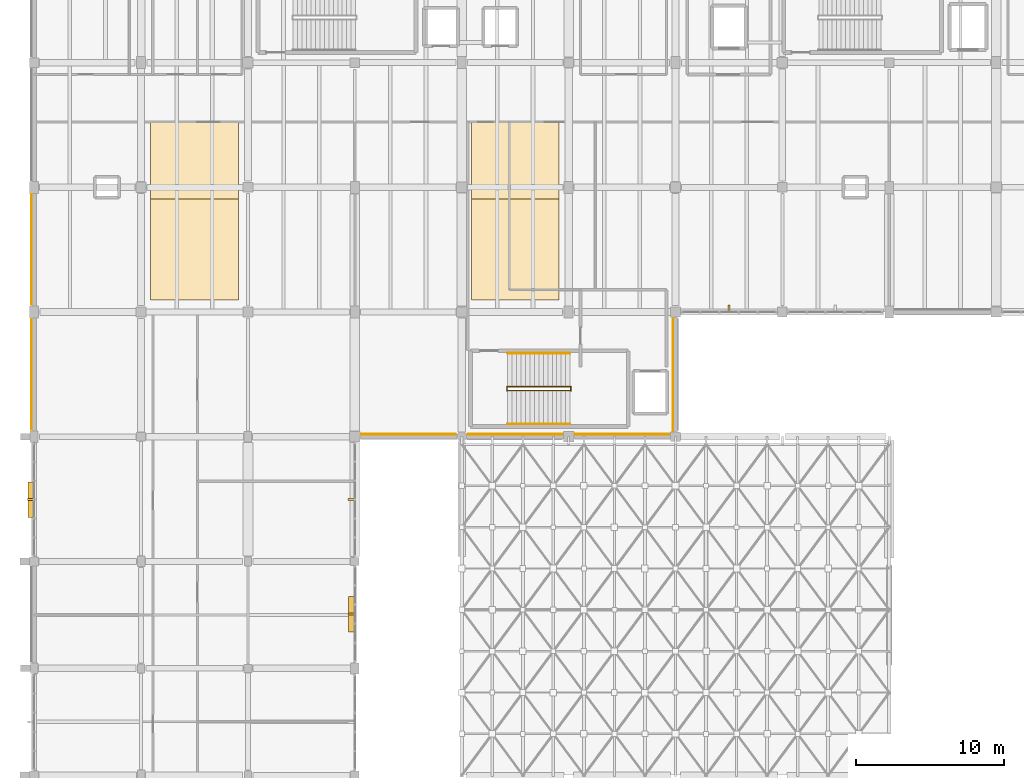
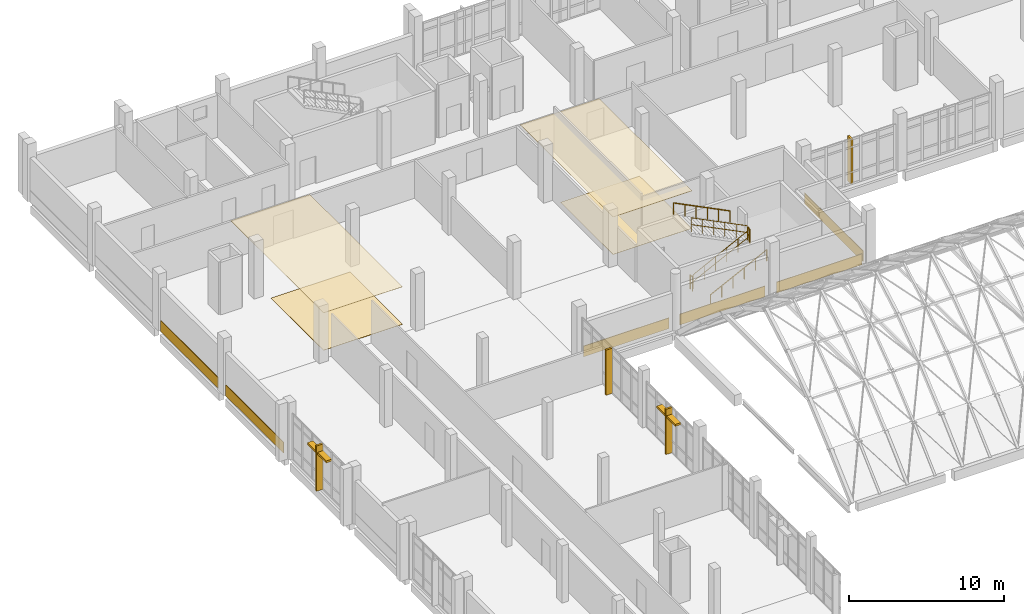
# One storey, part 84 of 87: 10 coverings, 6 railings, 6 shading devices.
"""IFC4 building model written with IfcOpenShell, lengths in metres."""

from ifc_helpers import new_model, si_unit, direction, frame, origin, origin_2d, place, context, subcontext, project, spatial, polyline, rectangle, circle, outline, extrude, material, layer, layer_set, type_object, element, save


model = new_model("IFC4")

# Units and contexts
model_context = context("Model", 3, precision=1e-05, world=origin(), true_north=direction((0.0, 1.0)))
body_context = subcontext(model_context, "Body", "Model", "MODEL_VIEW")
ifc_project = project(units=[si_unit("LENGTHUNIT", "METRE"), si_unit("AREAUNIT", "SQUARE_METRE"), si_unit("VOLUMEUNIT", "CUBIC_METRE"), si_unit("PLANEANGLEUNIT", "RADIAN"), si_unit("MASSUNIT", "GRAM", prefix="KILO")], contexts=[model_context])

# Site, building, storey
site_placement = place(None, origin())
site = spatial("IfcSite", under=ifc_project, at=site_placement, CompositionType="ELEMENT")
building_placement = place(site_placement, origin())
building = spatial("IfcBuilding", under=site, at=building_placement, Name="Kalluvel Institute of Natural Sciences", CompositionType="ELEMENT")
storey_placement = place(building_placement, frame((0.0, 0.0, 18.89990234375)))
storey = spatial("IfcBuildingStorey", under=building, at=storey_placement, Name="L04", CompositionType="ELEMENT", Elevation=18.89990234375)

# Coverings
ifc_material_1 = material(Name="Perforated Mineral-Fibre Acoustic Tile", Category="gypsum")
ifc_layer_1 = layer(ifc_material_1, 0.02490234375)
ifc_layer_set_1 = layer_set([ifc_layer_1], Name="Perforated Mineral-Fibre Acoustic Tile")
covering_type_1 = type_object("IfcCoveringType", Name="COV-CEIL-600", PredefinedType="CEILING", material=ifc_layer_set_1)
covering_1_placement = place(storey_placement, frame((0.0, 0.0, 2.9501953125)))
element("IfcCovering", 1, at=covering_1_placement, inside=storey, type_object=covering_type_1, Name="L04 laboratory acoustic ceiling panel 9", PredefinedType="CEILING", context=body_context, shape_type="SweptSolid", body=[
    extrude(outline(polyline([(21.85009765625, 103.60009765625), (27.75, 103.60009765625), (27.75, 115.60009765625), (21.85009765625, 115.60009765625), (21.85009765625, 103.60009765625)])), origin(), (0.0, 0.0, 1.0), 0.02490234375),
])
covering_2_placement = place(storey_placement, frame((0.0, 0.0, 2.9501953125)))
element("IfcCovering", 2, at=covering_2_placement, inside=storey, type_object=covering_type_1, Name="L04 laboratory acoustic ceiling panel 10", PredefinedType="CEILING", context=body_context, shape_type="SweptSolid", body=[
    extrude(outline(polyline([(43.449951171875, 103.60009765625), (49.35009765625, 103.60009765625), (49.35009765625, 115.60009765625), (43.449951171875, 115.60009765625), (43.449951171875, 103.60009765625)])), origin(), (0.0, 0.0, 1.0), 0.02490234375),
])
ifc_material_2 = material(Name="Sadarahalli Grey Granite Ashlar Concrete M40", Category="masonry")
ifc_layer_2 = layer(ifc_material_2, 0.044921875)
ifc_layer_set_2 = layer_set([ifc_layer_2], Name="Sadarahalli Grey Granite Ashlar Concrete M40")
covering_type_2 = type_object("IfcCoveringType", Name="COV-CLAD-STONE", PredefinedType="CLADDING", material=ifc_layer_set_2)
covering_3_placement = place(storey_placement, frame((13.820068359375, 107.0, 0.025146484375), z_axis=(0.0, 0.0, 1.0), x_axis=(0.0, 1.0, 0.0)))
element("IfcCovering", 3, at=covering_3_placement, inside=storey, type_object=covering_type_2, Name="L04 Sadarahalli granite plinth spandrel cladding 56", PredefinedType="CLADDING", context=body_context, shape_type="SweptSolid", body=[
    extrude(rectangle(XDim=7.43994140625, YDim=0.044921875, at=origin_2d()), origin(), (0.0, 0.0, 1.0), 0.85009765625),
])
for number, where, z_axis, x_axis, name in (
    (4, (39.21240234375, 94.570068359375, 0.025146484375), (0.0, 0.0, 1.0), (1.0, 0.0, 0.0), "L04 Sadarahalli granite plinth spandrel cladding 107"),
    (5, (46.387451171875, 94.570068359375, 0.025146484375), (0.0, 0.0, 1.0), (1.0, 0.0, 0.0), "L04 Sadarahalli granite plinth spandrel cladding 108"),
    (6, (53.612548828125, 94.570068359375, 0.025146484375), (0.0, 0.0, 1.0), (1.0, 0.0, 0.0), "L04 Sadarahalli granite plinth spandrel cladding 109"),
):
    element("IfcCovering", number, at=place(storey_placement, frame(where, z_axis=z_axis, x_axis=x_axis)), inside=storey, type_object=covering_type_2, Name=name, PredefinedType="CLADDING", context=body_context, shape_type="SweptSolid", body=[
        extrude(rectangle(XDim=6.364990234375, YDim=0.044921875, at=origin_2d()), origin(), (0.0, 0.0, 1.0), 0.85009765625),
    ])
covering_4_placement = place(storey_placement, frame((57.030029296875, 98.58740234375, 0.025146484375), z_axis=(0.0, 0.0, 1.0), x_axis=(0.0, 1.0, 0.0)))
element("IfcCovering", 7, at=covering_4_placement, inside=storey, type_object=covering_type_2, Name="L04 Sadarahalli granite plinth spandrel cladding 110", PredefinedType="CLADDING", context=body_context, shape_type="SweptSolid", body=[
    extrude(rectangle(XDim=7.56494140625, YDim=0.044921875, at=origin_2d()), origin(), (0.0, 0.0, 1.0), 0.85009765625),
])
covering_5_placement = place(storey_placement, frame((13.830078125, 98.58740234375, 0.025146484375), z_axis=(0.0, 0.0, 1.0), x_axis=(0.0, 1.0, 0.0)))
element("IfcCovering", 8, at=covering_5_placement, inside=storey, type_object=covering_type_2, Name="L04 Sadarahalli granite plinth spandrel cladding 178", PredefinedType="CLADDING", context=body_context, shape_type="SweptSolid", body=[
    extrude(rectangle(XDim=7.465087890625, YDim=0.044921875, at=origin_2d()), origin(), (0.0, 0.0, 1.0), 0.85009765625),
])
ifc_material_3 = material(Name="Seamless Chemical-Resistant Epoxy Flooring", Category="resin")
ifc_layer_3 = layer(ifc_material_3, 0.014892578125)
ifc_layer_set_3 = layer_set([ifc_layer_3], Name="Seamless Chemical-Resistant Epoxy Flooring")
covering_type_3 = type_object("IfcCoveringType", Name="COV-FLR-EPOXY", PredefinedType="FLOORING", material=ifc_layer_set_3)
covering_6_placement = place(storey_placement, origin())
element("IfcCovering", 9, at=covering_6_placement, inside=storey, type_object=covering_type_3, Name="L04 seamless epoxy laboratory floor finish 9", PredefinedType="FLOORING", context=body_context, shape_type="SweptSolid", body=[
    extrude(outline(polyline([(21.85009765625, 103.60009765625), (27.75, 103.60009765625), (27.75, 110.39990234375), (21.85009765625, 110.39990234375), (21.85009765625, 103.60009765625)])), origin(), (0.0, 0.0, 1.0), 0.01513671875),
])
covering_7_placement = place(storey_placement, origin())
element("IfcCovering", 10, at=covering_7_placement, inside=storey, type_object=covering_type_3, Name="L04 seamless epoxy laboratory floor finish 10", PredefinedType="FLOORING", context=body_context, shape_type="SweptSolid", body=[
    extrude(outline(polyline([(43.449951171875, 103.60009765625), (49.35009765625, 103.60009765625), (49.35009765625, 110.39990234375), (43.449951171875, 110.39990234375), (43.449951171875, 103.60009765625)])), origin(), (0.0, 0.0, 1.0), 0.01513671875),
])

# Railings
ifc_material_4 = material(Name="Galvanized Fire-Rated Steel", Category="steel")
railing_type_1 = type_object("IfcRailingType", Name="RL-GD-STAIR", PredefinedType="BALUSTRADE", material=ifc_material_4)
railing_1_placement = place(storey_placement, frame((45.89990234375, 97.510009765625, 0.150146484375)))
element("IfcRailing", 11, at=railing_1_placement, inside=storey, type_object=railing_type_1, Name="L04 ST3 stair guard 1", PredefinedType="BALUSTRADE", context=body_context, shape_type="SweptSolid", body=[
    extrude(circle(Radius=0.02392578125, at=origin_2d()), frame((0.0, 0.0, 1.09619140625), z_axis=(0.894447986312, 0.0, 0.447172002457), x_axis=(0.0, 1.0, 0.0)), (0.0, 0.0, 1.0), 4.69580078125),
    extrude(circle(Radius=0.02392578125, at=origin_2d()), frame((0.0, 0.0, 0.56005859375), z_axis=(0.894447986312, 0.0, 0.447172002457), x_axis=(0.0, 1.0, 0.0)), (0.0, 0.0, 1.0), 4.69580078125),
    extrude(circle(Radius=0.02099609375, at=origin_2d()), origin(), (0.0, 0.0, 1.0), 1.072021484375),
    extrude(circle(Radius=0.02099609375, at=origin_2d()), frame((0.840087890625, 0.0, 0.419921875)), (0.0, 0.0, 1.0), 1.072021484375),
    extrude(circle(Radius=0.02099609375, at=origin_2d()), frame((1.68017578125, 0.0, 0.83984375)), (0.0, 0.0, 1.0), 1.072021484375),
    extrude(circle(Radius=0.02099609375, at=origin_2d()), frame((2.52001953125, 0.0, 1.260009765625)), (0.0, 0.0, 1.0), 1.072021484375),
    extrude(circle(Radius=0.02099609375, at=origin_2d()), frame((3.360107421875, 0.0, 1.679931640625)), (0.0, 0.0, 1.0), 1.072021484375),
    extrude(circle(Radius=0.02099609375, at=origin_2d()), frame((4.2001953125, 0.0, 2.099853515625)), (0.0, 0.0, 1.0), 1.072021484375),
])
railing_2_placement = place(storey_placement, frame((50.14990234375, 97.4951171875, 2.25)))
element("IfcRailing", 12, at=railing_2_placement, inside=storey, type_object=railing_type_1, Name="L04 ST3 stair guard 2", PredefinedType="BALUSTRADE", context=body_context, shape_type="SweptSolid", body=[
    extrude(circle(Radius=0.02392578125, at=origin_2d()), frame((0.0, 0.0, 1.09619140625), z_axis=(0.0, 1.0, 0.0), x_axis=(-1.0, 0.0, 0.0)), (0.0, 0.0, 1.0), 0.27978515625),
    extrude(circle(Radius=0.02392578125, at=origin_2d()), frame((0.0, 0.0, 0.56005859375), z_axis=(0.0, 1.0, 0.0), x_axis=(-1.0, 0.0, 0.0)), (0.0, 0.0, 1.0), 0.27978515625),
    extrude(circle(Radius=0.02099609375, at=origin_2d()), origin(), (0.0, 0.0, 1.0), 1.072021484375),
    extrude(circle(Radius=0.02099609375, at=origin_2d()), frame((0.0, 0.27978515625, 0.0)), (0.0, 0.0, 1.0), 1.072021484375),
])
railing_3_placement = place(storey_placement, frame((50.10009765625, 97.760009765625, 2.400146484375)))
element("IfcRailing", 13, at=railing_3_placement, inside=storey, type_object=railing_type_1, Name="L04 ST3 stair guard 3", PredefinedType="BALUSTRADE", context=body_context, shape_type="SweptSolid", body=[
    extrude(circle(Radius=0.02392578125, at=origin_2d()), frame((0.0, 0.0, 1.09619140625), z_axis=(-0.894447986312, 0.0, 0.447172002457), x_axis=(0.0, -1.0, 0.0)), (0.0, 0.0, 1.0), 4.69580078125),
    extrude(circle(Radius=0.02392578125, at=origin_2d()), frame((0.0, 0.0, 0.56005859375), z_axis=(-0.894447986312, 0.0, 0.447172002457), x_axis=(0.0, -1.0, 0.0)), (0.0, 0.0, 1.0), 4.69580078125),
    extrude(circle(Radius=0.02099609375, at=origin_2d()), origin(), (0.0, 0.0, 1.0), 1.072021484375),
    extrude(circle(Radius=0.02099609375, at=origin_2d()), frame((-0.840087890625, 0.0, 0.419921875)), (0.0, 0.0, 1.0), 1.072021484375),
    extrude(circle(Radius=0.02099609375, at=origin_2d()), frame((-1.68017578125, 0.0, 0.83984375)), (0.0, 0.0, 1.0), 1.072021484375),
    extrude(circle(Radius=0.02099609375, at=origin_2d()), frame((-2.52001953125, 0.0, 1.260009765625)), (0.0, 0.0, 1.0), 1.072021484375),
    extrude(circle(Radius=0.02099609375, at=origin_2d()), frame((-3.360107421875, 0.0, 1.679931640625)), (0.0, 0.0, 1.0), 1.072021484375),
    extrude(circle(Radius=0.02099609375, at=origin_2d()), frame((-4.2001953125, 0.0, 2.099853515625)), (0.0, 0.0, 1.0), 1.072021484375),
])
railing_4_placement = place(storey_placement, frame((45.85009765625, 97.4951171875, 0.0)))
element("IfcRailing", 14, at=railing_4_placement, inside=storey, type_object=railing_type_1, Name="L04 ST3 stair guard 4", PredefinedType="BALUSTRADE", context=body_context, shape_type="SweptSolid", body=[
    extrude(circle(Radius=0.02392578125, at=origin_2d()), frame((0.0, 0.0, 1.09619140625), z_axis=(0.0, 1.0, 0.0), x_axis=(-1.0, 0.0, 0.0)), (0.0, 0.0, 1.0), 0.27978515625),
    extrude(circle(Radius=0.02392578125, at=origin_2d()), frame((0.0, 0.0, 0.56005859375), z_axis=(0.0, 1.0, 0.0), x_axis=(-1.0, 0.0, 0.0)), (0.0, 0.0, 1.0), 0.27978515625),
    extrude(circle(Radius=0.02099609375, at=origin_2d()), origin(), (0.0, 0.0, 1.0), 1.072021484375),
    extrude(circle(Radius=0.02099609375, at=origin_2d()), frame((0.0, 0.27978515625, 0.0)), (0.0, 0.0, 1.0), 1.072021484375),
])
railing_type_2 = type_object("IfcRailingType", Name="RL-HR-STAIR", PredefinedType="HANDRAIL", material=ifc_material_4)
railing_5_placement = place(storey_placement, frame((45.89990234375, 95.25, 0.150146484375)))
element("IfcRailing", 15, at=railing_5_placement, inside=storey, type_object=railing_type_2, Name="L04 ST3 stair handrail 1", PredefinedType="HANDRAIL", context=body_context, shape_type="SweptSolid", body=[
    extrude(circle(Radius=0.02392578125, at=origin_2d()), frame((0.0, 0.0, 0.89599609375), z_axis=(0.894447986312, 0.0, 0.447172002457), x_axis=(0.0, 1.0, 0.0)), (0.0, 0.0, 1.0), 4.69580078125),
    extrude(circle(Radius=0.02099609375, at=origin_2d()), origin(), (0.0, 0.0, 1.0), 0.871826171875),
    extrude(circle(Radius=0.02099609375, at=origin_2d()), frame((0.840087890625, 0.0, 0.419921875)), (0.0, 0.0, 1.0), 0.871826171875),
    extrude(circle(Radius=0.02099609375, at=origin_2d()), frame((1.68017578125, 0.0, 0.83984375)), (0.0, 0.0, 1.0), 0.871826171875),
    extrude(circle(Radius=0.02099609375, at=origin_2d()), frame((2.52001953125, 0.0, 1.260009765625)), (0.0, 0.0, 1.0), 0.871826171875),
    extrude(circle(Radius=0.02099609375, at=origin_2d()), frame((3.360107421875, 0.0, 1.679931640625)), (0.0, 0.0, 1.0), 0.871826171875),
    extrude(circle(Radius=0.02099609375, at=origin_2d()), frame((4.2001953125, 0.0, 2.099853515625)), (0.0, 0.0, 1.0), 0.871826171875),
])
railing_6_placement = place(storey_placement, frame((50.10009765625, 100.02001953125, 2.400146484375)))
element("IfcRailing", 16, at=railing_6_placement, inside=storey, type_object=railing_type_2, Name="L04 ST3 stair handrail 2", PredefinedType="HANDRAIL", context=body_context, shape_type="SweptSolid", body=[
    extrude(circle(Radius=0.02392578125, at=origin_2d()), frame((0.0, 0.0, 0.89599609375), z_axis=(-0.894447986312, 0.0, 0.447172002457), x_axis=(0.0, -1.0, 0.0)), (0.0, 0.0, 1.0), 4.69580078125),
    extrude(circle(Radius=0.02099609375, at=origin_2d()), origin(), (0.0, 0.0, 1.0), 0.871826171875),
    extrude(circle(Radius=0.02099609375, at=origin_2d()), frame((-0.840087890625, 0.0, 0.419921875)), (0.0, 0.0, 1.0), 0.871826171875),
    extrude(circle(Radius=0.02099609375, at=origin_2d()), frame((-1.68017578125, 0.0, 0.83984375)), (0.0, 0.0, 1.0), 0.871826171875),
    extrude(circle(Radius=0.02099609375, at=origin_2d()), frame((-2.52001953125, 0.0, 1.260009765625)), (0.0, 0.0, 1.0), 0.871826171875),
    extrude(circle(Radius=0.02099609375, at=origin_2d()), frame((-3.360107421875, 0.0, 1.679931640625)), (0.0, 0.0, 1.0), 0.871826171875),
    extrude(circle(Radius=0.02099609375, at=origin_2d()), frame((-4.2001953125, 0.0, 2.099853515625)), (0.0, 0.0, 1.0), 0.871826171875),
])

# Shading devices
shading_device_type_1 = type_object("IfcShadingDeviceType", Name="SHD-FIN-STONE", PredefinedType="USERDEFINED", material=ifc_material_2)
shading_device_placement = place(storey_placement, frame((60.8125, 103.02001953125, 0.0), z_axis=(0.0, 0.0, 1.0), x_axis=(1.0, 0.0, 0.0)))
element("IfcShadingDevice", 17, at=shading_device_placement, inside=storey, type_object=shading_device_type_1, Name="L04 monsoon lancet shading fin 52", ObjectType="MONSOON FIN", PredefinedType="USERDEFINED", context=body_context, shape_type="SweptSolid", body=[
    extrude(rectangle(XDim=0.139892578125, YDim=0.47998046875, at=origin_2d()), origin(), (0.0, 0.0, 1.0), 3.530029296875),
])
for number, where, z_axis, x_axis, name in (
    (18, (13.780029296875, 90.16259765625, 0.0), (0.0, 0.0, 1.0), (0.0, 1.0, 0.0), "L04 monsoon lancet shading fin 168"),
    (19, (35.3798828125, 82.449951171875, 0.0), (0.0, 0.0, 1.0), (0.0, 1.0, 0.0), "L04 monsoon lancet shading fin 183"),
    (20, (35.3798828125, 90.16259765625, 0.0), (0.0, 0.0, 1.0), (0.0, 1.0, 0.0), "L04 monsoon lancet shading fin 185"),
):
    element("IfcShadingDevice", number, at=place(storey_placement, frame(where, z_axis=z_axis, x_axis=x_axis)), inside=storey, type_object=shading_device_type_1, Name=name, ObjectType="MONSOON FIN", PredefinedType="USERDEFINED", context=body_context, shape_type="SweptSolid", body=[
        extrude(rectangle(XDim=0.139892578125, YDim=0.47998046875, at=origin_2d()), origin(), (0.0, 0.0, 1.0), 3.570068359375),
    ])
ifc_material_5 = material(Name="Aluminium AW-6063 T6", Category="aluminium")
shading_device_type_2 = type_object("IfcShadingDeviceType", Name="SHD-LOUV-ALU", PredefinedType="JALOUSIE", material=ifc_material_5)
for number, where, z_axis, x_axis, name in (
    (21, (13.800048828125, 90.16259765625, 2.89013671875), (0.0, 0.0, 1.0), (0.0, 1.0, 0.0), "L04 aluminium sun-shading louvre 169"),
    (22, (35.39990234375, 82.449951171875, 2.89013671875), (0.0, 0.0, 1.0), (0.0, 1.0, 0.0), "L04 aluminium sun-shading louvre 184"),
):
    element("IfcShadingDevice", number, at=place(storey_placement, frame(where, z_axis=z_axis, x_axis=x_axis)), inside=storey, type_object=shading_device_type_2, Name=name, PredefinedType="JALOUSIE", context=body_context, shape_type="SweptSolid", body=[
        extrude(rectangle(XDim=2.39990234375, YDim=0.419921875, at=origin_2d()), origin(), (0.0, 0.0, 1.0), 0.159912109375),
    ])

save(model, "model.ifc")
